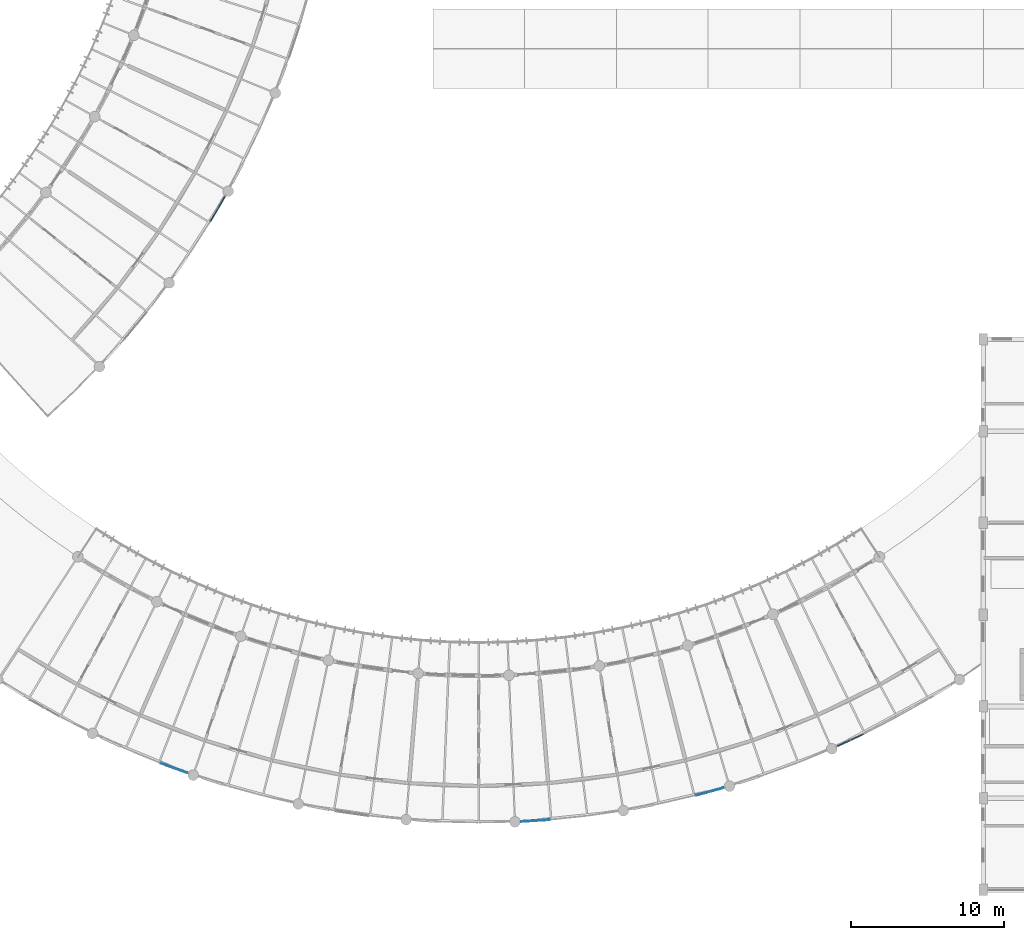
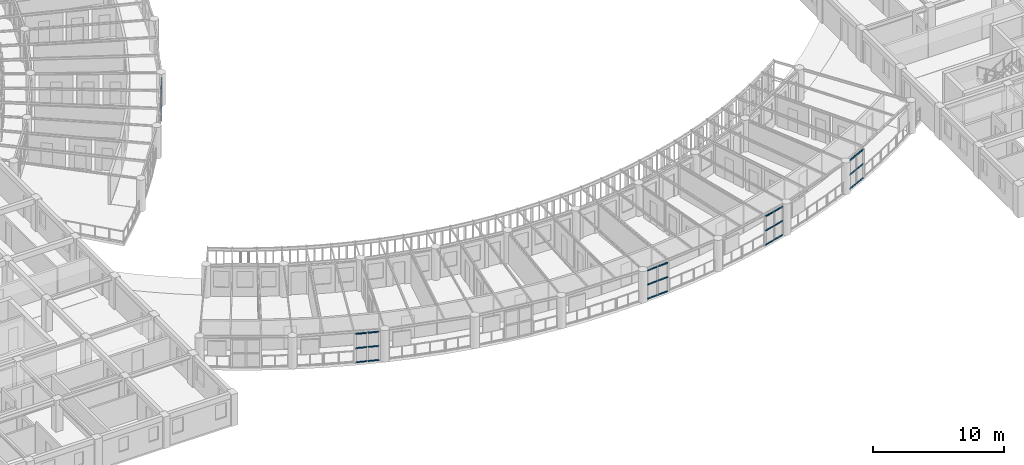
# One storey, part 41 of 100: 30 members, 5 elements without a shape of their own.
"""IFC4 building model written with IfcOpenShell, lengths in metres."""

from ifc_helpers import new_model, si_unit, direction, frame, origin, origin_2d, place, context, subcontext, project, spatial, rectangle, extrude, material, layer, layer_set, material_profile, profile_set, type_object, element, aggregate, save


model = new_model("IFC4")

# Units and contexts
model_context = context("Model", 3, precision=1e-05, world=origin(), true_north=direction((0.0, 1.0)))
body_context = subcontext(model_context, "Body", "Model", "MODEL_VIEW")
ifc_project = project(units=[si_unit("LENGTHUNIT", "METRE"), si_unit("AREAUNIT", "SQUARE_METRE"), si_unit("VOLUMEUNIT", "CUBIC_METRE"), si_unit("PLANEANGLEUNIT", "RADIAN"), si_unit("MASSUNIT", "GRAM", prefix="KILO"), si_unit("POWERUNIT", "WATT"), si_unit("THERMODYNAMICTEMPERATUREUNIT", "KELVIN")], contexts=[model_context])

# Site, building, storey
site_placement = place(None, origin())
site = spatial("IfcSite", under=ifc_project, at=site_placement, CompositionType="ELEMENT")
building_placement = place(site_placement, origin())
building = spatial("IfcBuilding", under=site, at=building_placement, Name="Ruvembo Vaulted Housing Court", CompositionType="ELEMENT")
storey_placement = place(building_placement, frame((0.0, 0.0, 10.89990234375)))
storey = spatial("IfcBuildingStorey", under=building, at=storey_placement, Name="L03", CompositionType="ELEMENT", Elevation=10.89990234375)

# Curtain wall, members
ifc_material_1 = material(Name="Anodised Aluminium and Solar-Control Glass", Category="aluminium")
ifc_layer_1 = layer(ifc_material_1, 0.1201171875, Name="Anodised Aluminium and Solar-Control Glass")
ifc_layer_set_1 = layer_set([ifc_layer_1], Name="Anodised Aluminium and Solar-Control Glass")
curtain_wall_type_1 = type_object("IfcCurtainWallType", Name="CW-SCOOP-GAL", PredefinedType="NOTDEFINED", material=ifc_layer_set_1)
curtain_wall_1_placement = place(storey_placement, origin())
curtain_wall_1 = element("IfcCurtainWall", 1, at=curtain_wall_1_placement, inside=storey, type_object=curtain_wall_type_1, Name="L03 Curtain Wall CW-L03-0018", PredefinedType="NOTDEFINED")
ifc_material_2 = material(Name="Anodised Aluminium 6063-T6", Category="aluminium")
ifc_material_profile_1 = material_profile(ifc_material_2, rectangle(XDim=0.06005859375, YDim=0.1201171875, at=origin_2d()), Name="ALU 60x120")
ifc_profile_set_1 = profile_set([ifc_material_profile_1], Name="Anodised Aluminium 6063-T6")
member_type_1 = type_object("IfcMemberType", Name="CW-TRANSOM-65x120", PredefinedType="USERDEFINED", material=ifc_profile_set_1)
member_1_placement = place(storey_placement, frame((51.476806640625, 43.738037109375, 0.030029296875), z_axis=(0.505965672831, 0.862553614517, 0.0), x_axis=(-0.862553614517, 0.505965672831, 0.0)))
member_1 = element("IfcMember", 2, at=member_1_placement, type_object=member_type_1, Name="CW6 transom 1.1", ObjectType="TRANSOM", PredefinedType="USERDEFINED", context=body_context, shape_type="SweptSolid", body=[
    extrude(rectangle(XDim=0.06005859375, YDim=0.1201171875, at=origin_2d()), origin(), (0.0, 0.0, 1.0), 0.890625),
])
member_2_placement = place(storey_placement, frame((51.476806640625, 43.738037109375, 1.34912109375), z_axis=(0.505965672831, 0.862553614517, 0.0), x_axis=(-0.862553614517, 0.505965672831, 0.0)))
member_2 = element("IfcMember", 3, at=member_2_placement, type_object=member_type_1, Name="CW6 transom 1.2", ObjectType="TRANSOM", PredefinedType="USERDEFINED", context=body_context, shape_type="SweptSolid", body=[
    extrude(rectangle(XDim=0.06005859375, YDim=0.1201171875, at=origin_2d()), origin(), (0.0, 0.0, 1.0), 0.890625),
])
member_3_placement = place(storey_placement, frame((51.476806640625, 43.738037109375, 2.668212890625), z_axis=(0.505965672831, 0.862553614517, 0.0), x_axis=(-0.862553614517, 0.505965672831, 0.0)))
member_3 = element("IfcMember", 4, at=member_3_placement, type_object=member_type_1, Name="CW6 transom 1.3", ObjectType="TRANSOM", PredefinedType="USERDEFINED", context=body_context, shape_type="SweptSolid", body=[
    extrude(rectangle(XDim=0.06005859375, YDim=0.1201171875, at=origin_2d()), origin(), (0.0, 0.0, 1.0), 0.890625),
])
member_4_placement = place(storey_placement, frame((51.960205078125, 44.5625, 0.030029296875), z_axis=(0.505965672831, 0.862553614517, 0.0), x_axis=(-0.862553614517, 0.505965672831, 0.0)))
member_4 = element("IfcMember", 5, at=member_4_placement, type_object=member_type_1, Name="CW6 transom 2.1", ObjectType="TRANSOM", PredefinedType="USERDEFINED", context=body_context, shape_type="SweptSolid", body=[
    extrude(rectangle(XDim=0.06005859375, YDim=0.1201171875, at=origin_2d()), origin(), (0.0, 0.0, 1.0), 0.890625),
])
member_5_placement = place(storey_placement, frame((51.960205078125, 44.5625, 1.34912109375), z_axis=(0.505965672831, 0.862553614517, 0.0), x_axis=(-0.862553614517, 0.505965672831, 0.0)))
member_5 = element("IfcMember", 6, at=member_5_placement, type_object=member_type_1, Name="CW6 transom 2.2", ObjectType="TRANSOM", PredefinedType="USERDEFINED", context=body_context, shape_type="SweptSolid", body=[
    extrude(rectangle(XDim=0.06005859375, YDim=0.1201171875, at=origin_2d()), origin(), (0.0, 0.0, 1.0), 0.890625),
])
member_6_placement = place(storey_placement, frame((51.960205078125, 44.5625, 2.668212890625), z_axis=(0.505965672831, 0.862553614517, 0.0), x_axis=(-0.862553614517, 0.505965672831, 0.0)))
member_6 = element("IfcMember", 7, at=member_6_placement, type_object=member_type_1, Name="CW6 transom 2.3", ObjectType="TRANSOM", PredefinedType="USERDEFINED", context=body_context, shape_type="SweptSolid", body=[
    extrude(rectangle(XDim=0.06005859375, YDim=0.1201171875, at=origin_2d()), origin(), (0.0, 0.0, 1.0), 0.890625),
])
aggregate(curtain_wall_1, [member_1, member_2, member_3, member_4, member_5, member_6])

curtain_wall_2_placement = place(storey_placement, origin())
curtain_wall_2 = element("IfcCurtainWall", 8, at=curtain_wall_2_placement, inside=storey, type_object=curtain_wall_type_1, Name="L03 Curtain Wall CW-L03-0042", PredefinedType="NOTDEFINED")
member_7_placement = place(storey_placement, frame((48.21044921875, 8.28515625, 0.030029296875), z_axis=(0.939127167855, -0.343569734693, 0.0), x_axis=(0.343569734693, 0.939127167855, 0.0)))
member_7 = element("IfcMember", 9, at=member_7_placement, type_object=member_type_1, Name="CW6 transom 1.1", ObjectType="TRANSOM", PredefinedType="USERDEFINED", context=body_context, shape_type="SweptSolid", body=[
    extrude(rectangle(XDim=0.06005859375, YDim=0.1201171875, at=origin_2d()), origin(), (0.0, 0.0, 1.0), 0.890380859375),
])
member_8_placement = place(storey_placement, frame((48.21044921875, 8.28515625, 1.34912109375), z_axis=(0.939127167855, -0.343569734693, 0.0), x_axis=(0.343569734693, 0.939127167855, 0.0)))
member_8 = element("IfcMember", 10, at=member_8_placement, type_object=member_type_1, Name="CW6 transom 1.2", ObjectType="TRANSOM", PredefinedType="USERDEFINED", context=body_context, shape_type="SweptSolid", body=[
    extrude(rectangle(XDim=0.06005859375, YDim=0.1201171875, at=origin_2d()), origin(), (0.0, 0.0, 1.0), 0.890380859375),
])
member_9_placement = place(storey_placement, frame((48.21044921875, 8.28515625, 2.668212890625), z_axis=(0.939127167855, -0.343569734693, 0.0), x_axis=(0.343569734693, 0.939127167855, 0.0)))
member_9 = element("IfcMember", 11, at=member_9_placement, type_object=member_type_1, Name="CW6 transom 1.3", ObjectType="TRANSOM", PredefinedType="USERDEFINED", context=body_context, shape_type="SweptSolid", body=[
    extrude(rectangle(XDim=0.06005859375, YDim=0.1201171875, at=origin_2d()), origin(), (0.0, 0.0, 1.0), 0.890380859375),
])
member_10_placement = place(storey_placement, frame((49.107666015625, 7.956787109375, 0.030029296875), z_axis=(0.939127167855, -0.343569734693, 0.0), x_axis=(0.343569734693, 0.939127167855, 0.0)))
member_10 = element("IfcMember", 12, at=member_10_placement, type_object=member_type_1, Name="CW6 transom 2.1", ObjectType="TRANSOM", PredefinedType="USERDEFINED", context=body_context, shape_type="SweptSolid", body=[
    extrude(rectangle(XDim=0.06005859375, YDim=0.1201171875, at=origin_2d()), origin(), (0.0, 0.0, 1.0), 0.890380859375),
])
member_11_placement = place(storey_placement, frame((49.107666015625, 7.956787109375, 1.34912109375), z_axis=(0.939127167855, -0.343569734693, 0.0), x_axis=(0.343569734693, 0.939127167855, 0.0)))
member_11 = element("IfcMember", 13, at=member_11_placement, type_object=member_type_1, Name="CW6 transom 2.2", ObjectType="TRANSOM", PredefinedType="USERDEFINED", context=body_context, shape_type="SweptSolid", body=[
    extrude(rectangle(XDim=0.06005859375, YDim=0.1201171875, at=origin_2d()), origin(), (0.0, 0.0, 1.0), 0.890380859375),
])
member_12_placement = place(storey_placement, frame((49.107666015625, 7.956787109375, 2.668212890625), z_axis=(0.939127167855, -0.343569734693, 0.0), x_axis=(0.343569734693, 0.939127167855, 0.0)))
member_12 = element("IfcMember", 14, at=member_12_placement, type_object=member_type_1, Name="CW6 transom 2.3", ObjectType="TRANSOM", PredefinedType="USERDEFINED", context=body_context, shape_type="SweptSolid", body=[
    extrude(rectangle(XDim=0.06005859375, YDim=0.1201171875, at=origin_2d()), origin(), (0.0, 0.0, 1.0), 0.890380859375),
])
aggregate(curtain_wall_2, [member_7, member_8, member_9, member_10, member_11, member_12])

ifc_layer_2 = layer(ifc_material_1, 0.139892578125, Name="Anodised Aluminium and Solar-Control Glass")
ifc_layer_set_2 = layer_set([ifc_layer_2], Name="Anodised Aluminium and Solar-Control Glass")
curtain_wall_type_2 = type_object("IfcCurtainWallType", Name="CW-SCOOP-PAN", PredefinedType="NOTDEFINED", material=ifc_layer_set_2)
curtain_wall_3_placement = place(storey_placement, origin())
curtain_wall_3 = element("IfcCurtainWall", 15, at=curtain_wall_3_placement, inside=storey, type_object=curtain_wall_type_2, Name="L03 Curtain Wall CW-L03-0045", PredefinedType="NOTDEFINED")
member_13_placement = place(storey_placement, frame((83.218017578125, 6.1845703125, 0.030029296875), z_axis=(0.964234924911, 0.26504907014, 0.0), x_axis=(-0.26504907014, 0.964234924911, 0.0)))
member_13 = element("IfcMember", 16, at=member_13_placement, type_object=member_type_1, Name="CW10 transom 1.1", ObjectType="TRANSOM", PredefinedType="USERDEFINED", context=body_context, shape_type="SweptSolid", body=[
    extrude(rectangle(XDim=0.06005859375, YDim=0.1201171875, at=origin_2d()), origin(), (0.0, 0.0, 1.0), 0.898193359375),
])
member_14_placement = place(storey_placement, frame((83.218017578125, 6.1845703125, 1.34912109375), z_axis=(0.964234924911, 0.26504907014, 0.0), x_axis=(-0.26504907014, 0.964234924911, 0.0)))
member_14 = element("IfcMember", 17, at=member_14_placement, type_object=member_type_1, Name="CW10 transom 1.2", ObjectType="TRANSOM", PredefinedType="USERDEFINED", context=body_context, shape_type="SweptSolid", body=[
    extrude(rectangle(XDim=0.06005859375, YDim=0.1201171875, at=origin_2d()), origin(), (0.0, 0.0, 1.0), 0.898193359375),
])
member_15_placement = place(storey_placement, frame((83.218017578125, 6.1845703125, 2.668212890625), z_axis=(0.964234924911, 0.26504907014, 0.0), x_axis=(-0.26504907014, 0.964234924911, 0.0)))
member_15 = element("IfcMember", 18, at=member_15_placement, type_object=member_type_1, Name="CW10 transom 1.3", ObjectType="TRANSOM", PredefinedType="USERDEFINED", context=body_context, shape_type="SweptSolid", body=[
    extrude(rectangle(XDim=0.06005859375, YDim=0.1201171875, at=origin_2d()), origin(), (0.0, 0.0, 1.0), 0.898193359375),
])
member_16_placement = place(storey_placement, frame((84.141845703125, 6.4384765625, 0.030029296875), z_axis=(0.964234924911, 0.26504907014, 0.0), x_axis=(-0.26504907014, 0.964234924911, 0.0)))
member_16 = element("IfcMember", 19, at=member_16_placement, type_object=member_type_1, Name="CW10 transom 2.1", ObjectType="TRANSOM", PredefinedType="USERDEFINED", context=body_context, shape_type="SweptSolid", body=[
    extrude(rectangle(XDim=0.06005859375, YDim=0.1201171875, at=origin_2d()), origin(), (0.0, 0.0, 1.0), 0.898193359375),
])
member_17_placement = place(storey_placement, frame((84.141845703125, 6.4384765625, 1.34912109375), z_axis=(0.964234924911, 0.26504907014, 0.0), x_axis=(-0.26504907014, 0.964234924911, 0.0)))
member_17 = element("IfcMember", 20, at=member_17_placement, type_object=member_type_1, Name="CW10 transom 2.2", ObjectType="TRANSOM", PredefinedType="USERDEFINED", context=body_context, shape_type="SweptSolid", body=[
    extrude(rectangle(XDim=0.06005859375, YDim=0.1201171875, at=origin_2d()), origin(), (0.0, 0.0, 1.0), 0.898193359375),
])
member_18_placement = place(storey_placement, frame((84.141845703125, 6.4384765625, 2.668212890625), z_axis=(0.964234924911, 0.26504907014, 0.0), x_axis=(-0.26504907014, 0.964234924911, 0.0)))
member_18 = element("IfcMember", 21, at=member_18_placement, type_object=member_type_1, Name="CW10 transom 2.3", ObjectType="TRANSOM", PredefinedType="USERDEFINED", context=body_context, shape_type="SweptSolid", body=[
    extrude(rectangle(XDim=0.06005859375, YDim=0.1201171875, at=origin_2d()), origin(), (0.0, 0.0, 1.0), 0.898193359375),
])
aggregate(curtain_wall_3, [member_13, member_14, member_15, member_16, member_17, member_18])

curtain_wall_4_placement = place(storey_placement, origin())
curtain_wall_4 = element("IfcCurtainWall", 22, at=curtain_wall_4_placement, inside=storey, type_object=curtain_wall_type_1, Name="L03 Curtain Wall CW-L03-0044", PredefinedType="NOTDEFINED")
ifc_material_profile_2 = material_profile(ifc_material_2, rectangle(XDim=0.06005859375, YDim=0.10009765625, at=origin_2d()), Name="ALU 60x100")
ifc_profile_set_2 = profile_set([ifc_material_profile_2], Name="Anodised Aluminium 6063-T6")
member_type_2 = type_object("IfcMemberType", Name="CW-TRN-60x100", PredefinedType="USERDEFINED", material=ifc_profile_set_2)
member_19_placement = place(storey_placement, frame((71.78466796875, 4.474365234375, 0.030029296875), z_axis=(0.998093619133, 0.061718128996, 0.0), x_axis=(-0.061718128996, 0.998093619133, 0.0)))
member_19 = element("IfcMember", 23, at=member_19_placement, type_object=member_type_2, Name="CW6 transom 1.1", ObjectType="TRANSOM", PredefinedType="USERDEFINED", context=body_context, shape_type="SweptSolid", body=[
    extrude(rectangle(XDim=0.06005859375, YDim=0.10009765625, at=origin_2d()), origin(), (0.0, 0.0, 1.0), 0.89794921875),
])
member_20_placement = place(storey_placement, frame((71.78466796875, 4.474365234375, 1.34912109375), z_axis=(0.998093619133, 0.061718128996, 0.0), x_axis=(-0.061718128996, 0.998093619133, 0.0)))
member_20 = element("IfcMember", 24, at=member_20_placement, type_object=member_type_2, Name="CW6 transom 1.2", ObjectType="TRANSOM", PredefinedType="USERDEFINED", context=body_context, shape_type="SweptSolid", body=[
    extrude(rectangle(XDim=0.06005859375, YDim=0.10009765625, at=origin_2d()), origin(), (0.0, 0.0, 1.0), 0.89794921875),
])
member_21_placement = place(storey_placement, frame((71.78466796875, 4.474365234375, 2.668212890625), z_axis=(0.998093619133, 0.061718128996, 0.0), x_axis=(-0.061718128996, 0.998093619133, 0.0)))
member_21 = element("IfcMember", 25, at=member_21_placement, type_object=member_type_2, Name="CW6 transom 1.3", ObjectType="TRANSOM", PredefinedType="USERDEFINED", context=body_context, shape_type="SweptSolid", body=[
    extrude(rectangle(XDim=0.06005859375, YDim=0.10009765625, at=origin_2d()), origin(), (0.0, 0.0, 1.0), 0.89794921875),
])
member_22_placement = place(storey_placement, frame((72.740966796875, 4.533447265625, 0.030029296875), z_axis=(0.998076834358, 0.061988972551, 0.0), x_axis=(-0.061988972551, 0.998076834358, 0.0)))
member_22 = element("IfcMember", 26, at=member_22_placement, type_object=member_type_2, Name="CW6 transom 2.1", ObjectType="TRANSOM", PredefinedType="USERDEFINED", context=body_context, shape_type="SweptSolid", body=[
    extrude(rectangle(XDim=0.06005859375, YDim=0.10009765625, at=origin_2d()), origin(), (0.0, 0.0, 1.0), 0.89794921875),
])
member_23_placement = place(storey_placement, frame((72.740966796875, 4.533447265625, 1.34912109375), z_axis=(0.998076834358, 0.061988972551, 0.0), x_axis=(-0.061988972551, 0.998076834358, 0.0)))
member_23 = element("IfcMember", 27, at=member_23_placement, type_object=member_type_2, Name="CW6 transom 2.2", ObjectType="TRANSOM", PredefinedType="USERDEFINED", context=body_context, shape_type="SweptSolid", body=[
    extrude(rectangle(XDim=0.06005859375, YDim=0.10009765625, at=origin_2d()), origin(), (0.0, 0.0, 1.0), 0.89794921875),
])
member_24_placement = place(storey_placement, frame((72.740966796875, 4.533447265625, 2.668212890625), z_axis=(0.998076834358, 0.061988972551, 0.0), x_axis=(-0.061988972551, 0.998076834358, 0.0)))
member_24 = element("IfcMember", 28, at=member_24_placement, type_object=member_type_2, Name="CW6 transom 2.3", ObjectType="TRANSOM", PredefinedType="USERDEFINED", context=body_context, shape_type="SweptSolid", body=[
    extrude(rectangle(XDim=0.06005859375, YDim=0.10009765625, at=origin_2d()), origin(), (0.0, 0.0, 1.0), 0.89794921875),
])
aggregate(curtain_wall_4, [member_19, member_20, member_21, member_22, member_23, member_24])

curtain_wall_5_placement = place(storey_placement, origin())
curtain_wall_5 = element("IfcCurtainWall", 29, at=curtain_wall_5_placement, inside=storey, type_object=curtain_wall_type_2, Name="L03 Curtain Wall CW-L03-0046", PredefinedType="NOTDEFINED")
ifc_material_profile_3 = material_profile(ifc_material_2, rectangle(XDim=0.06494140625, YDim=0.135009765625, at=origin_2d()), Name="ALU 65x135")
ifc_profile_set_3 = profile_set([ifc_material_profile_3], Name="Anodised Aluminium 6063-T6")
member_type_3 = type_object("IfcMemberType", Name="CW-TRN-65x135", PredefinedType="USERDEFINED", material=ifc_profile_set_3)
member_25_placement = place(storey_placement, frame((92.47021484375, 9.406494140625, 0.03271484375), z_axis=(0.907662288095, 0.419701287549, 0.0), x_axis=(-0.419701287549, 0.907662288095, 0.0)))
member_25 = element("IfcMember", 30, at=member_25_placement, type_object=member_type_3, Name="CW10 transom 1.1", ObjectType="TRANSOM", PredefinedType="USERDEFINED", context=body_context, shape_type="SweptSolid", body=[
    extrude(rectangle(XDim=0.06494140625, YDim=0.135009765625, at=origin_2d()), origin(), (0.0, 0.0, 1.0), 0.890625),
])
member_26_placement = place(storey_placement, frame((92.47021484375, 9.406494140625, 1.34912109375), z_axis=(0.907662288095, 0.419701287549, 0.0), x_axis=(-0.419701287549, 0.907662288095, 0.0)))
member_26 = element("IfcMember", 31, at=member_26_placement, type_object=member_type_3, Name="CW10 transom 1.2", ObjectType="TRANSOM", PredefinedType="USERDEFINED", context=body_context, shape_type="SweptSolid", body=[
    extrude(rectangle(XDim=0.06494140625, YDim=0.135009765625, at=origin_2d()), origin(), (0.0, 0.0, 1.0), 0.890625),
])
member_27_placement = place(storey_placement, frame((92.47021484375, 9.406494140625, 2.66552734375), z_axis=(0.907662288095, 0.419701287549, 0.0), x_axis=(-0.419701287549, 0.907662288095, 0.0)))
member_27 = element("IfcMember", 32, at=member_27_placement, type_object=member_type_3, Name="CW10 transom 1.3", ObjectType="TRANSOM", PredefinedType="USERDEFINED", context=body_context, shape_type="SweptSolid", body=[
    extrude(rectangle(XDim=0.06494140625, YDim=0.135009765625, at=origin_2d()), origin(), (0.0, 0.0, 1.0), 0.890625),
])
member_28_placement = place(storey_placement, frame((93.337646484375, 9.807373046875, 0.03271484375), z_axis=(0.907613981344, 0.419805741824, 0.0), x_axis=(-0.419805741824, 0.907613981344, 0.0)))
member_28 = element("IfcMember", 33, at=member_28_placement, type_object=member_type_3, Name="CW10 transom 2.1", ObjectType="TRANSOM", PredefinedType="USERDEFINED", context=body_context, shape_type="SweptSolid", body=[
    extrude(rectangle(XDim=0.06494140625, YDim=0.135009765625, at=origin_2d()), origin(), (0.0, 0.0, 1.0), 0.890380859375),
])
member_29_placement = place(storey_placement, frame((93.337646484375, 9.807373046875, 1.34912109375), z_axis=(0.907613981344, 0.419805741824, 0.0), x_axis=(-0.419805741824, 0.907613981344, 0.0)))
member_29 = element("IfcMember", 34, at=member_29_placement, type_object=member_type_3, Name="CW10 transom 2.2", ObjectType="TRANSOM", PredefinedType="USERDEFINED", context=body_context, shape_type="SweptSolid", body=[
    extrude(rectangle(XDim=0.06494140625, YDim=0.135009765625, at=origin_2d()), origin(), (0.0, 0.0, 1.0), 0.890380859375),
])
member_30_placement = place(storey_placement, frame((93.337646484375, 9.807373046875, 2.66552734375), z_axis=(0.907613981344, 0.419805741824, 0.0), x_axis=(-0.419805741824, 0.907613981344, 0.0)))
member_30 = element("IfcMember", 35, at=member_30_placement, type_object=member_type_3, Name="CW10 transom 2.3", ObjectType="TRANSOM", PredefinedType="USERDEFINED", context=body_context, shape_type="SweptSolid", body=[
    extrude(rectangle(XDim=0.06494140625, YDim=0.135009765625, at=origin_2d()), origin(), (0.0, 0.0, 1.0), 0.890380859375),
])
aggregate(curtain_wall_5, [member_25, member_26, member_27, member_28, member_29, member_30])

save(model, "model.ifc")
